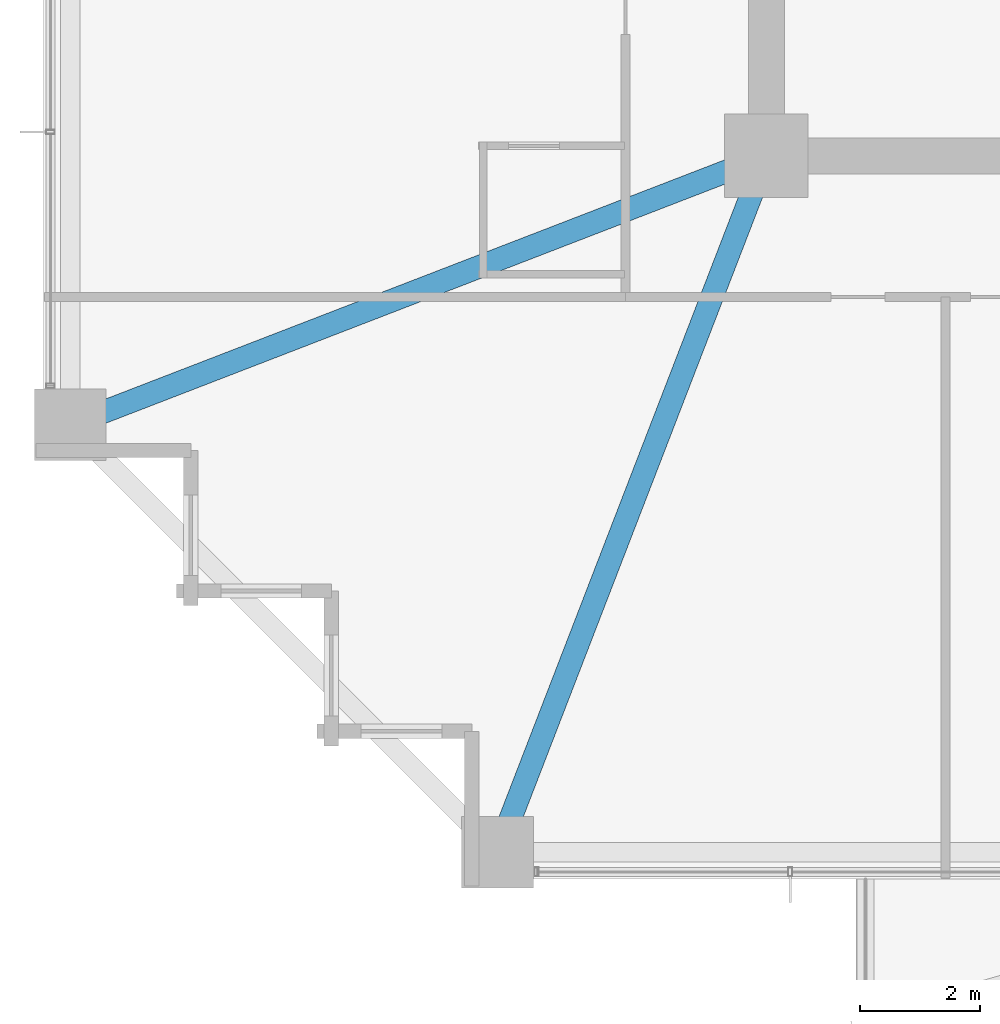
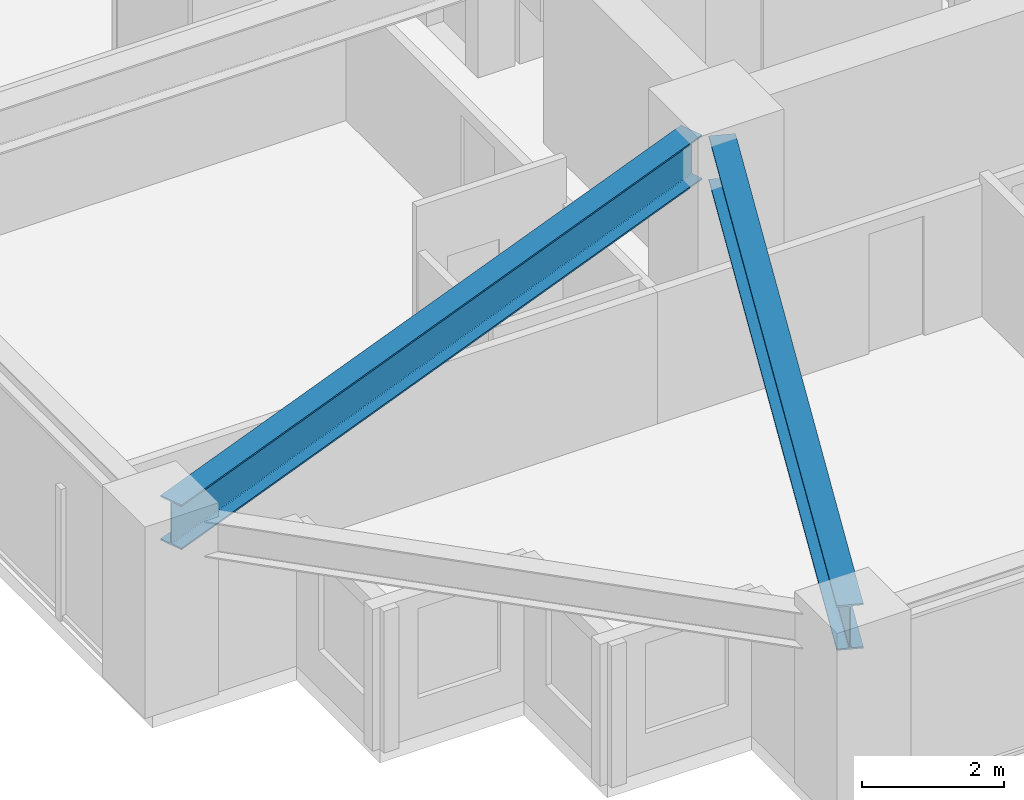
# One storey, part 4 of 38: 2 beams.
"""IFC4 building model written with IfcOpenShell, lengths in metres."""

from ifc_helpers import new_model, si_unit, direction, frame, origin, origin_2d, place, context, subcontext, project, spatial, i_section, extrude, material, material_profile, profile_set, type_object, element, save


model = new_model("IFC4")

# Units and contexts
model_context = context("Model", 3, precision=1e-05, world=origin(), true_north=direction((0.0, 1.0)))
body_context = subcontext(model_context, "Body", "Model", "MODEL_VIEW")
ifc_project = project(units=[si_unit("LENGTHUNIT", "METRE"), si_unit("AREAUNIT", "SQUARE_METRE"), si_unit("VOLUMEUNIT", "CUBIC_METRE"), si_unit("PLANEANGLEUNIT", "RADIAN"), si_unit("MASSUNIT", "GRAM", prefix="KILO")], contexts=[model_context])

# Site, building, storey
site_placement = place(None, origin())
site = spatial("IfcSite", under=ifc_project, at=site_placement, CompositionType="ELEMENT")
building_placement = place(site_placement, origin())
building = spatial("IfcBuilding", under=site, at=building_placement, Name="Kolvaren Belvedere", CompositionType="ELEMENT")
storey_placement = place(building_placement, frame((0.0, 0.0, 27.10009765625)))
storey = spatial("IfcBuildingStorey", under=building, at=storey_placement, Name="L07", CompositionType="ELEMENT", Elevation=27.10009765625)

# Beams
ifc_material = material(Name="Structural steel ASTM A992 Grade 50", Category="steel")
ifc_material_profile = material_profile(ifc_material, i_section(OverallWidth=0.381103515625, OverallDepth=0.77294921875, WebThickness=0.0166015625, FlangeThickness=0.027099609375, FilletRadius=0.02392578125, at=origin_2d()), Name="W30X173")
ifc_profile_set = profile_set([ifc_material_profile], Name="Structural steel ASTM A992 Grade 50")
beam_type = type_object("IfcBeamType", Name="BM-GIRD-W30X173", PredefinedType="BEAM", material=ifc_profile_set)
for number, where, z_axis, x_axis, name in (
    (1, (-10.09814453125, -10.4130859375, 2.67333984375), (-0.360318391835, -0.932829382313, 0.0), (0.932829382313, -0.360318391835, 0.0), "L07 Corner Core-to-Perimeter Girder CC1-S1"),
    (2, (-10.4130859375, -10.09814453125, 2.67333984375), (-0.932829382313, -0.360318391835, 0.0), (0.360318391835, -0.932829382313, 0.0), "L07 Corner Core-to-Perimeter Girder CC1-W1"),
):
    element("IfcBeam", number, at=place(storey_placement, frame(where, z_axis=z_axis, x_axis=x_axis)), inside=storey, type_object=beam_type, Name=name, PredefinedType="BEAM", context=body_context, shape_type="SweptSolid", body=[
        extrude(i_section(OverallWidth=0.381103515625, OverallDepth=0.77294921875, WebThickness=0.0166015625, FlangeThickness=0.027099609375, FilletRadius=0.02392578125, at=origin_2d()), origin(), (0.0, 0.0, 1.0), 11.698974609375),
    ])

save(model, "model.ifc")
